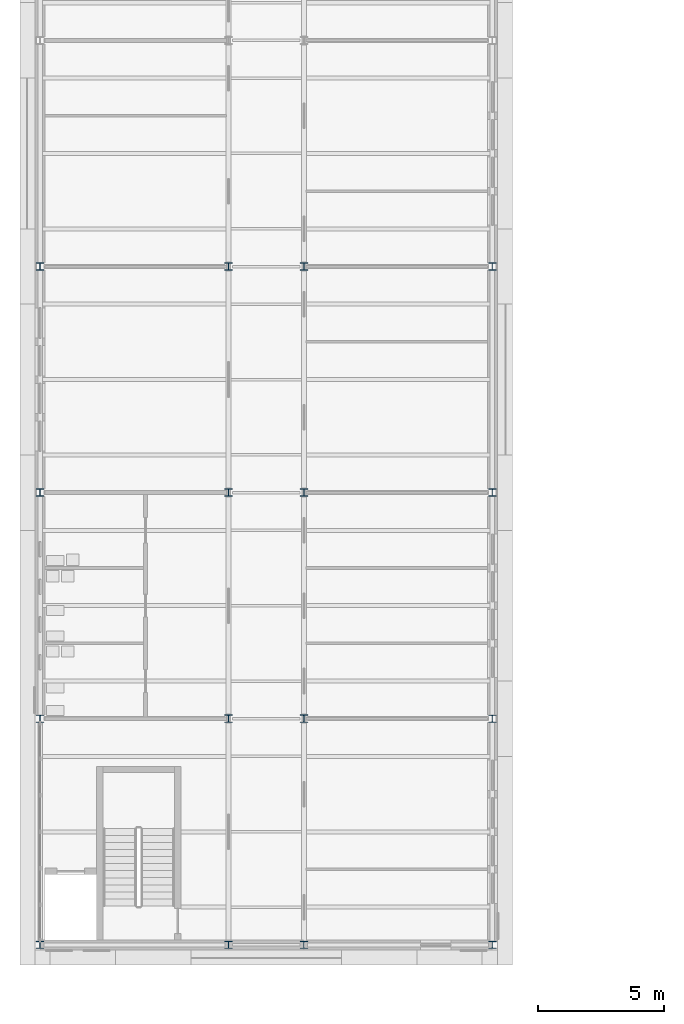
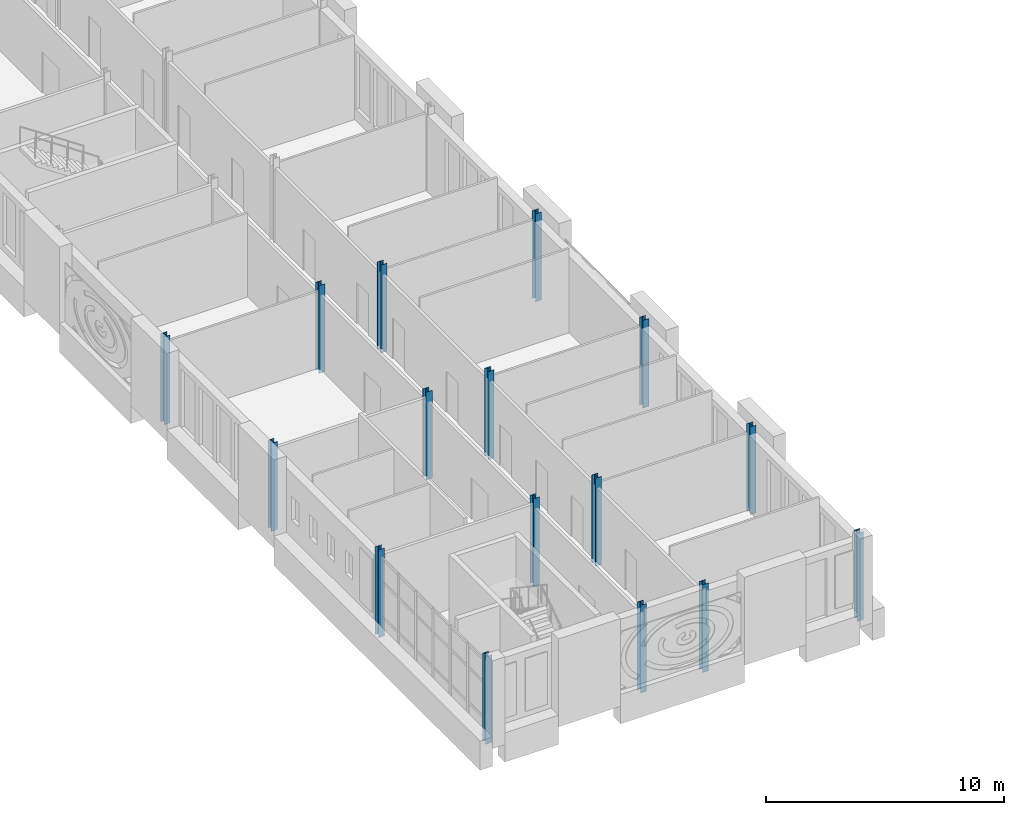
# One storey, part 1 of 131: 16 columns.
"""IFC4 building model written with IfcOpenShell, lengths in metres."""

from ifc_helpers import new_model, si_unit, direction, frame, origin, origin_2d, place, context, subcontext, project, spatial, i_section, extrude, material, material_profile, profile_set, type_object, element, save


model = new_model("IFC4")

# Units and contexts
model_context = context("Model", 3, precision=1e-05, world=origin(), true_north=direction((0.0, 1.0)))
body_context = subcontext(model_context, "Body", "Model", "MODEL_VIEW")
ifc_project = project(units=[si_unit("LENGTHUNIT", "METRE"), si_unit("AREAUNIT", "SQUARE_METRE"), si_unit("VOLUMEUNIT", "CUBIC_METRE"), si_unit("PLANEANGLEUNIT", "RADIAN"), si_unit("MASSUNIT", "GRAM", prefix="KILO")], contexts=[model_context])

# Site, building, storey
site_placement = place(None, origin())
site = spatial("IfcSite", under=ifc_project, at=site_placement, CompositionType="ELEMENT")
building_placement = place(site_placement, origin())
building = spatial("IfcBuilding", under=site, at=building_placement, Name="Golden Quay Civic Hall", CompositionType="ELEMENT")
storey_placement = place(building_placement, frame((0.0, 0.0, 9.89990234375)))
storey = spatial("IfcBuildingStorey", under=building, at=storey_placement, Name="L02", CompositionType="ELEMENT", Elevation=9.89990234375)

# Columns
ifc_material_1 = material(Name="Steel S355", Category="steel")
ifc_material_profile_1 = material_profile(ifc_material_1, i_section(OverallWidth=0.300048828125, OverallDepth=0.2900390625, WebThickness=0.008544921875, FlangeThickness=0.013916015625, FilletRadius=0.027099609375, at=origin_2d()), Name="HEA 300")
ifc_profile_set_1 = profile_set([ifc_material_profile_1], Name="Steel S355")
column_type_1 = type_object("IfcColumnType", Name="Steel column HEA 300", PredefinedType="COLUMN", material=ifc_profile_set_1)
for number, where, z_axis, x_axis, name in (
    (1, (0.0, -9.0, -0.199951171875), (0.0, 0.0, 1.0), (1.0, 0.0, 0.0), "Column 0/-9 L02"),
    (2, (0.0, 0.0, -0.199951171875), (0.0, 0.0, 1.0), (1.0, 0.0, 0.0), "Column 0/0 L02"),
    (3, (0.0, 9.0, -0.199951171875), (0.0, 0.0, 1.0), (1.0, 0.0, 0.0), "Column 0/9 L02"),
    (4, (0.0, 18.0, -0.199951171875), (0.0, 0.0, 1.0), (1.0, 0.0, 0.0), "Column 0/18 L02"),
    (5, (7.5, -9.0, -0.199951171875), (0.0, 0.0, 1.0), (1.0, 0.0, 0.0), "Column 7.5/-9 L02"),
    (6, (10.5, -9.0, -0.199951171875), (0.0, 0.0, 1.0), (1.0, 0.0, 0.0), "Column 10.5/-9 L02"),
    (7, (18.0, -9.0, -0.199951171875), (0.0, 0.0, 1.0), (1.0, 0.0, 0.0), "Column 18/-9 L02"),
    (8, (18.0, 0.0, -0.199951171875), (0.0, 0.0, 1.0), (1.0, 0.0, 0.0), "Column 18/0 L02"),
    (9, (18.0, 9.0, -0.199951171875), (0.0, 0.0, 1.0), (1.0, 0.0, 0.0), "Column 18/9 L02"),
    (10, (18.0, 18.0, -0.199951171875), (0.0, 0.0, 1.0), (1.0, 0.0, 0.0), "Column 18/18 L02"),
):
    element("IfcColumn", number, at=place(storey_placement, frame(where, z_axis=z_axis, x_axis=x_axis)), inside=storey, type_object=column_type_1, Name=name, PredefinedType="COLUMN", context=body_context, shape_type="SweptSolid", body=[
        extrude(i_section(OverallWidth=0.300048828125, OverallDepth=0.2900390625, WebThickness=0.008544921875, FlangeThickness=0.013916015625, FilletRadius=0.027099609375, at=origin_2d()), origin(), (0.0, 0.0, 1.0), 4.5),
    ])
ifc_material_2 = material(Name="Steel S355", Category="steel")
ifc_material_profile_2 = material_profile(ifc_material_2, i_section(OverallWidth=0.300048828125, OverallDepth=0.300048828125, WebThickness=0.010986328125, FlangeThickness=0.01904296875, FilletRadius=0.027099609375, at=origin_2d()), Name="HEB 300")
ifc_profile_set_2 = profile_set([ifc_material_profile_2], Name="Steel S355")
column_type_2 = type_object("IfcColumnType", Name="Steel column HEB 300", PredefinedType="COLUMN", material=ifc_profile_set_2)
for number, where, z_axis, x_axis, name in (
    (11, (7.5, 0.0, -0.199951171875), (0.0, 0.0, 1.0), (1.0, 0.0, 0.0), "Column 7.5/0 L02"),
    (12, (7.5, 9.0, -0.199951171875), (0.0, 0.0, 1.0), (1.0, 0.0, 0.0), "Column 7.5/9 L02"),
    (13, (7.5, 18.0, -0.199951171875), (0.0, 0.0, 1.0), (1.0, 0.0, 0.0), "Column 7.5/18 L02"),
    (14, (10.5, 0.0, -0.199951171875), (0.0, 0.0, 1.0), (1.0, 0.0, 0.0), "Column 10.5/0 L02"),
    (15, (10.5, 9.0, -0.199951171875), (0.0, 0.0, 1.0), (1.0, 0.0, 0.0), "Column 10.5/9 L02"),
    (16, (10.5, 18.0, -0.199951171875), (0.0, 0.0, 1.0), (1.0, 0.0, 0.0), "Column 10.5/18 L02"),
):
    element("IfcColumn", number, at=place(storey_placement, frame(where, z_axis=z_axis, x_axis=x_axis)), inside=storey, type_object=column_type_2, Name=name, PredefinedType="COLUMN", context=body_context, shape_type="SweptSolid", body=[
        extrude(i_section(OverallWidth=0.300048828125, OverallDepth=0.300048828125, WebThickness=0.010986328125, FlangeThickness=0.01904296875, FilletRadius=0.027099609375, at=origin_2d()), origin(), (0.0, 0.0, 1.0), 4.5),
    ])

save(model, "model.ifc")
